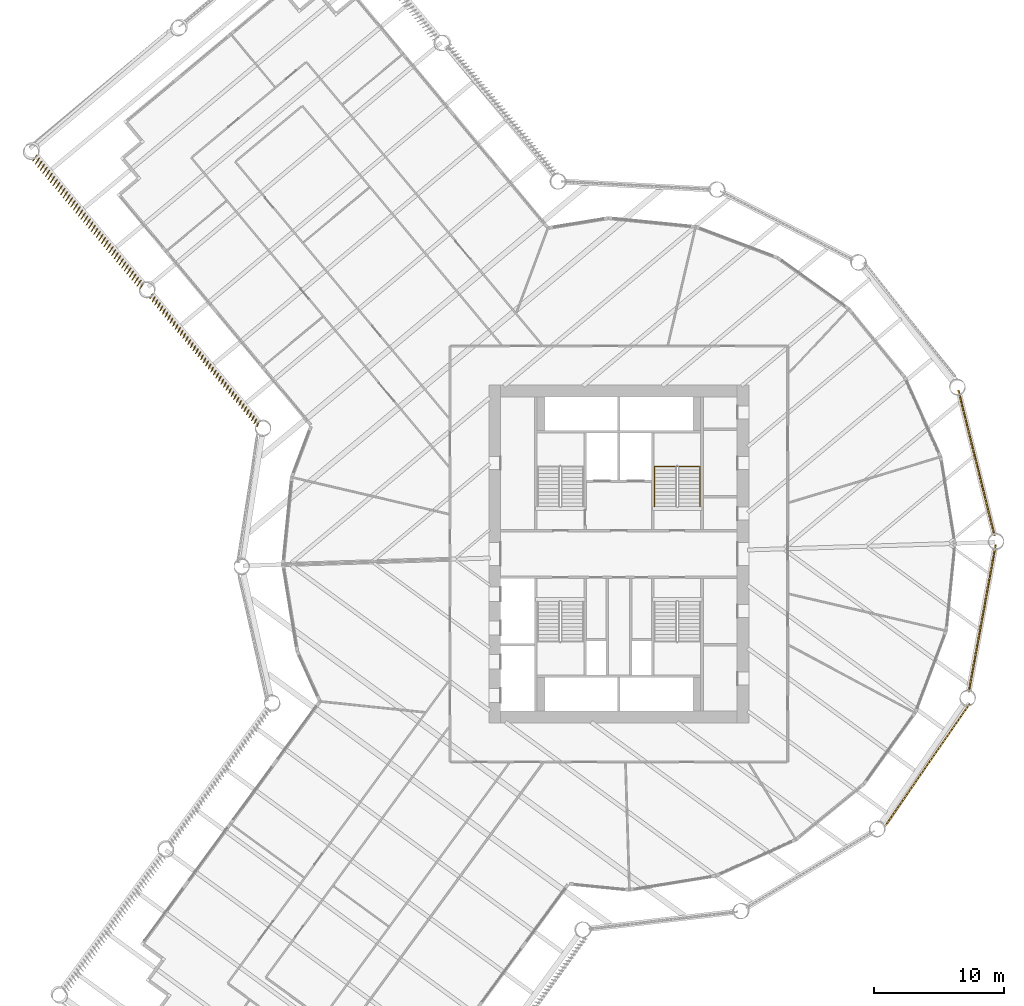
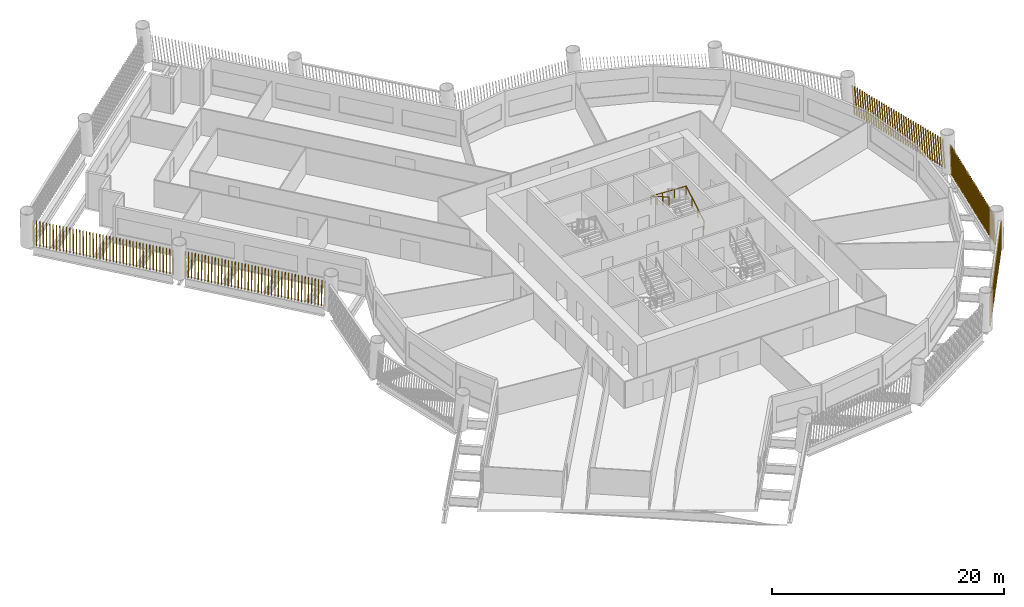
# One storey, part 13 of 15: 5 shading devices, 1 railing.
"""IFC4 building model written with IfcOpenShell, lengths in metres."""

from ifc_helpers import new_model, si_unit, direction, frame, frame_2d, origin, origin_2d, place, context, subcontext, project, spatial, rectangle, circle, composite_profile, extrude, material, type_object, element, save


model = new_model("IFC4")

# Units and contexts
model_context = context("Model", 3, precision=1e-05, world=origin(), true_north=direction((0.0, 1.0)))
body_context = subcontext(model_context, "Body", "Model", "MODEL_VIEW")
ifc_project = project(units=[si_unit("LENGTHUNIT", "METRE"), si_unit("AREAUNIT", "SQUARE_METRE"), si_unit("VOLUMEUNIT", "CUBIC_METRE"), si_unit("PLANEANGLEUNIT", "RADIAN"), si_unit("MASSUNIT", "GRAM", prefix="KILO")], contexts=[model_context])

# Site, building, storey
site_placement = place(None, origin())
site = spatial("IfcSite", under=ifc_project, at=site_placement, CompositionType="ELEMENT")
building_placement = place(site_placement, origin())
building = spatial("IfcBuilding", under=site, at=building_placement, Name="Tarsis Ring Headquarters", CompositionType="ELEMENT")
storey_placement = place(building_placement, frame((0.0, 0.0, 43.89990234375)))
storey = spatial("IfcBuildingStorey", under=building, at=storey_placement, Name="L08", CompositionType="ELEMENT", Elevation=43.89990234375)

# Railing
ifc_material_1 = material(Name="Steel S355", Category="steel")
railing_type = type_object("IfcRailingType", Name="Core stair handrail 900", PredefinedType="HANDRAIL", material=ifc_material_1)
railing_placement = place(storey_placement, frame((6.25, 3.659912109375, 0.16259765625)))
element("IfcRailing", 1, at=railing_placement, inside=storey, type_object=railing_type, Name="L08 ST2 stair handrail 1", PredefinedType="HANDRAIL", context=body_context, shape_type="SweptSolid", body=[
    extrude(circle(Radius=0.02392578125, at=origin_2d()), frame((0.0, 0.0, 0.8759765625), z_axis=(0.0, 0.864890721111, 0.501960198159), x_axis=(-1.0, 0.0, 0.0)), (0.0, 0.0, 1.0), 3.561279296875),
    extrude(circle(Radius=0.02392578125, at=origin_2d()), frame((0.0, 3.080078125, 2.66357421875), z_axis=(-0.998925869279, 0.0, 0.04633689335), x_axis=(0.0, -1.0, 0.0)), (0.0, 0.0, 1.0), 3.503662109375),
    extrude(circle(Radius=0.02392578125, at=origin_2d()), frame((-3.5, 3.080078125, 2.82568359375), z_axis=(0.0, -0.864890721111, 0.501960198159), x_axis=(1.0, 0.0, 0.0)), (0.0, 0.0, 1.0), 3.561279296875),
    extrude(circle(Radius=0.02099609375, at=origin_2d()), origin(), (0.0, 0.0, 1.0), 0.851806640625),
    extrude(circle(Radius=0.02099609375, at=origin_2d()), frame((0.0, 1.026611328125, 0.595947265625)), (0.0, 0.0, 1.0), 0.851806640625),
    extrude(circle(Radius=0.02099609375, at=origin_2d()), frame((0.0, 2.053466796875, 1.191650390625)), (0.0, 0.0, 1.0), 0.851806640625),
    extrude(circle(Radius=0.02099609375, at=origin_2d()), frame((0.0, 3.080078125, 1.78759765625)), (0.0, 0.0, 1.0), 0.851806640625),
    extrude(circle(Radius=0.02099609375, at=origin_2d()), frame((-1.166748046875, 3.080078125, 1.841796875)), (0.0, 0.0, 1.0), 0.851806640625),
    extrude(circle(Radius=0.02099609375, at=origin_2d()), frame((-2.333251953125, 3.080078125, 1.895751953125)), (0.0, 0.0, 1.0), 0.851806640625),
    extrude(circle(Radius=0.02099609375, at=origin_2d()), frame((-3.5, 3.080078125, 1.949951171875)), (0.0, 0.0, 1.0), 0.851806640625),
    extrude(circle(Radius=0.02099609375, at=origin_2d()), frame((-3.5, 2.053466796875, 2.5458984375)), (0.0, 0.0, 1.0), 0.851806640625),
    extrude(circle(Radius=0.02099609375, at=origin_2d()), frame((-3.5, 1.026611328125, 3.1416015625)), (0.0, 0.0, 1.0), 0.851806640625),
    extrude(circle(Radius=0.02099609375, at=origin_2d()), frame((-3.5, 0.0, 3.737548828125)), (0.0, 0.0, 1.0), 0.851806640625),
])

# Shading devices
ifc_material_2 = material(Name="Terracotta baguette", Category="masonry")
shading_device_type = type_object("IfcShadingDeviceType", Name="Terracotta baguette screen", PredefinedType="USERDEFINED", material=ifc_material_2)
shading_device_1_placement = place(storey_placement, frame((20.446533203125, -21.007568359375, 0.0), z_axis=(0.0, 0.0, 1.0), x_axis=(0.569472176404, 0.822011459328, 0.0)))
element("IfcShadingDevice", 2, at=shading_device_1_placement, inside=storey, type_object=shading_device_type, Name="Baguette screen L08-09", ObjectType="Terracotta baguette screen", PredefinedType="USERDEFINED", context=body_context, shape_type="SweptSolid", body=[
    extrude(composite_profile([rectangle(XDim=0.06005859375, YDim=0.1201171875, at=frame_2d((0.030029296875, 0.0))), rectangle(XDim=0.06005859375, YDim=0.1201171875, at=frame_2d((0.33251953125, 0.0))), rectangle(XDim=0.06005859375, YDim=0.1201171875, at=frame_2d((0.634765625, 0.0))), rectangle(XDim=0.06005859375, YDim=0.1201171875, at=frame_2d((0.937255859375, 0.0))), rectangle(XDim=0.06005859375, YDim=0.1201171875, at=frame_2d((1.239501953125, 0.0))), rectangle(XDim=0.06005859375, YDim=0.1201171875, at=frame_2d((1.5419921875, 0.0))), rectangle(XDim=0.06005859375, YDim=0.1201171875, at=frame_2d((1.844482421875, 0.0))), rectangle(XDim=0.06005859375, YDim=0.1201171875, at=frame_2d((2.146728515625, 0.0))), rectangle(XDim=0.06005859375, YDim=0.1201171875, at=frame_2d((2.44921875, 0.0))), rectangle(XDim=0.06005859375, YDim=0.1201171875, at=frame_2d((2.751708984375, 0.0))), rectangle(XDim=0.06005859375, YDim=0.1201171875, at=frame_2d((3.053955078125, 0.0))), rectangle(XDim=0.06005859375, YDim=0.1201171875, at=frame_2d((3.3564453125, 0.0))), rectangle(XDim=0.06005859375, YDim=0.1201171875, at=frame_2d((3.65869140625, 0.0))), rectangle(XDim=0.06005859375, YDim=0.1201171875, at=frame_2d((3.961181640625, 0.0))), rectangle(XDim=0.06005859375, YDim=0.1201171875, at=frame_2d((4.263671875, 0.0))), rectangle(XDim=0.06005859375, YDim=0.1201171875, at=frame_2d((4.56591796875, 0.0))), rectangle(XDim=0.06005859375, YDim=0.1201171875, at=frame_2d((4.868408203125, 0.0))), rectangle(XDim=0.06005859375, YDim=0.1201171875, at=frame_2d((5.1708984375, 0.0))), rectangle(XDim=0.06005859375, YDim=0.1201171875, at=frame_2d((5.47314453125, 0.0))), rectangle(XDim=0.06005859375, YDim=0.1201171875, at=frame_2d((5.775634765625, 0.0))), rectangle(XDim=0.06005859375, YDim=0.1201171875, at=frame_2d((6.077880859375, 0.0))), rectangle(XDim=0.06005859375, YDim=0.1201171875, at=frame_2d((6.38037109375, 0.0))), rectangle(XDim=0.06005859375, YDim=0.1201171875, at=frame_2d((6.682861328125, 0.0))), rectangle(XDim=0.06005859375, YDim=0.1201171875, at=frame_2d((6.985107421875, 0.0))), rectangle(XDim=0.06005859375, YDim=0.1201171875, at=frame_2d((7.28759765625, 0.0))), rectangle(XDim=0.06005859375, YDim=0.1201171875, at=frame_2d((7.590087890625, 0.0))), rectangle(XDim=0.06005859375, YDim=0.1201171875, at=frame_2d((7.892333984375, 0.0))), rectangle(XDim=0.06005859375, YDim=0.1201171875, at=frame_2d((8.19482421875, 0.0))), rectangle(XDim=0.06005859375, YDim=0.1201171875, at=frame_2d((8.4970703125, 0.0))), rectangle(XDim=0.06005859375, YDim=0.1201171875, at=frame_2d((8.799560546875, 0.0))), rectangle(XDim=0.06005859375, YDim=0.1201171875, at=frame_2d((9.10205078125, 0.0))), rectangle(XDim=0.06005859375, YDim=0.1201171875, at=frame_2d((9.404296875, 0.0))), rectangle(XDim=0.06005859375, YDim=0.1201171875, at=frame_2d((9.706787109375, 0.0))), rectangle(XDim=0.06005859375, YDim=0.1201171875, at=frame_2d((10.00927734375, 0.0))), rectangle(XDim=0.06005859375, YDim=0.1201171875, at=frame_2d((10.3115234375, 0.0))), rectangle(XDim=0.06005859375, YDim=0.1201171875, at=frame_2d((10.614013671875, 0.0))), rectangle(XDim=0.06005859375, YDim=0.1201171875, at=frame_2d((10.916259765625, 0.0))), rectangle(XDim=0.06005859375, YDim=0.1201171875, at=frame_2d((11.21875, 0.0)))]), origin(), (0.10150987711, 0.000530901831, 0.994834389731), 2.968017578125),
])
shading_device_2_placement = place(storey_placement, frame((26.919189453125, -10.64453125, 0.0), z_axis=(0.0, 0.0, 1.0), x_axis=(0.180006945047, 0.983657435541, 0.0)))
element("IfcShadingDevice", 3, at=shading_device_2_placement, inside=storey, type_object=shading_device_type, Name="Baguette screen L08-10", ObjectType="Terracotta baguette screen", PredefinedType="USERDEFINED", context=body_context, shape_type="SweptSolid", body=[
    extrude(composite_profile([rectangle(XDim=0.06005859375, YDim=0.1201171875, at=frame_2d((0.030029296875, 0.0))), rectangle(XDim=0.06005859375, YDim=0.1201171875, at=frame_2d((0.33251953125, 0.0))), rectangle(XDim=0.06005859375, YDim=0.1201171875, at=frame_2d((0.634765625, 0.0))), rectangle(XDim=0.06005859375, YDim=0.1201171875, at=frame_2d((0.937255859375, 0.0))), rectangle(XDim=0.06005859375, YDim=0.1201171875, at=frame_2d((1.239501953125, 0.0))), rectangle(XDim=0.06005859375, YDim=0.1201171875, at=frame_2d((1.5419921875, 0.0))), rectangle(XDim=0.06005859375, YDim=0.1201171875, at=frame_2d((1.844482421875, 0.0))), rectangle(XDim=0.06005859375, YDim=0.1201171875, at=frame_2d((2.146728515625, 0.0))), rectangle(XDim=0.06005859375, YDim=0.1201171875, at=frame_2d((2.44921875, 0.0))), rectangle(XDim=0.06005859375, YDim=0.1201171875, at=frame_2d((2.751708984375, 0.0))), rectangle(XDim=0.06005859375, YDim=0.1201171875, at=frame_2d((3.053955078125, 0.0))), rectangle(XDim=0.06005859375, YDim=0.1201171875, at=frame_2d((3.3564453125, 0.0))), rectangle(XDim=0.06005859375, YDim=0.1201171875, at=frame_2d((3.65869140625, 0.0))), rectangle(XDim=0.06005859375, YDim=0.1201171875, at=frame_2d((3.961181640625, 0.0))), rectangle(XDim=0.06005859375, YDim=0.1201171875, at=frame_2d((4.263671875, 0.0))), rectangle(XDim=0.06005859375, YDim=0.1201171875, at=frame_2d((4.56591796875, 0.0))), rectangle(XDim=0.06005859375, YDim=0.1201171875, at=frame_2d((4.868408203125, 0.0))), rectangle(XDim=0.06005859375, YDim=0.1201171875, at=frame_2d((5.1708984375, 0.0))), rectangle(XDim=0.06005859375, YDim=0.1201171875, at=frame_2d((5.47314453125, 0.0))), rectangle(XDim=0.06005859375, YDim=0.1201171875, at=frame_2d((5.775634765625, 0.0))), rectangle(XDim=0.06005859375, YDim=0.1201171875, at=frame_2d((6.077880859375, 0.0))), rectangle(XDim=0.06005859375, YDim=0.1201171875, at=frame_2d((6.38037109375, 0.0))), rectangle(XDim=0.06005859375, YDim=0.1201171875, at=frame_2d((6.682861328125, 0.0))), rectangle(XDim=0.06005859375, YDim=0.1201171875, at=frame_2d((6.985107421875, 0.0))), rectangle(XDim=0.06005859375, YDim=0.1201171875, at=frame_2d((7.28759765625, 0.0))), rectangle(XDim=0.06005859375, YDim=0.1201171875, at=frame_2d((7.590087890625, 0.0))), rectangle(XDim=0.06005859375, YDim=0.1201171875, at=frame_2d((7.892333984375, 0.0))), rectangle(XDim=0.06005859375, YDim=0.1201171875, at=frame_2d((8.19482421875, 0.0))), rectangle(XDim=0.06005859375, YDim=0.1201171875, at=frame_2d((8.4970703125, 0.0))), rectangle(XDim=0.06005859375, YDim=0.1201171875, at=frame_2d((8.799560546875, 0.0))), rectangle(XDim=0.06005859375, YDim=0.1201171875, at=frame_2d((9.10205078125, 0.0))), rectangle(XDim=0.06005859375, YDim=0.1201171875, at=frame_2d((9.404296875, 0.0))), rectangle(XDim=0.06005859375, YDim=0.1201171875, at=frame_2d((9.706787109375, 0.0))), rectangle(XDim=0.06005859375, YDim=0.1201171875, at=frame_2d((10.00927734375, 0.0))), rectangle(XDim=0.06005859375, YDim=0.1201171875, at=frame_2d((10.3115234375, 0.0))), rectangle(XDim=0.06005859375, YDim=0.1201171875, at=frame_2d((10.614013671875, 0.0))), rectangle(XDim=0.06005859375, YDim=0.1201171875, at=frame_2d((10.916259765625, 0.0))), rectangle(XDim=0.06005859375, YDim=0.1201171875, at=frame_2d((11.21875, 0.0)))]), origin(), (0.100199596658, 0.000523037154, 0.99496721919), 2.967529296875),
])
shading_device_3_placement = place(storey_placement, frame((28.91357421875, 1.397705078125, 0.0), z_axis=(0.0, 0.0, 1.0), x_axis=(-0.241454150841, 0.97041779707, 0.0)))
element("IfcShadingDevice", 4, at=shading_device_3_placement, inside=storey, type_object=shading_device_type, Name="Baguette screen L08-11", ObjectType="Terracotta baguette screen", PredefinedType="USERDEFINED", context=body_context, shape_type="SweptSolid", body=[
    extrude(composite_profile([rectangle(XDim=0.06005859375, YDim=0.1201171875, at=frame_2d((0.030029296875, 0.0))), rectangle(XDim=0.06005859375, YDim=0.1201171875, at=frame_2d((0.33251953125, 0.0))), rectangle(XDim=0.06005859375, YDim=0.1201171875, at=frame_2d((0.634765625, 0.0))), rectangle(XDim=0.06005859375, YDim=0.1201171875, at=frame_2d((0.937255859375, 0.0))), rectangle(XDim=0.06005859375, YDim=0.1201171875, at=frame_2d((1.239501953125, 0.0))), rectangle(XDim=0.06005859375, YDim=0.1201171875, at=frame_2d((1.5419921875, 0.0))), rectangle(XDim=0.06005859375, YDim=0.1201171875, at=frame_2d((1.844482421875, 0.0))), rectangle(XDim=0.06005859375, YDim=0.1201171875, at=frame_2d((2.146728515625, 0.0))), rectangle(XDim=0.06005859375, YDim=0.1201171875, at=frame_2d((2.44921875, 0.0))), rectangle(XDim=0.06005859375, YDim=0.1201171875, at=frame_2d((2.751708984375, 0.0))), rectangle(XDim=0.06005859375, YDim=0.1201171875, at=frame_2d((3.053955078125, 0.0))), rectangle(XDim=0.06005859375, YDim=0.1201171875, at=frame_2d((3.3564453125, 0.0))), rectangle(XDim=0.06005859375, YDim=0.1201171875, at=frame_2d((3.65869140625, 0.0))), rectangle(XDim=0.06005859375, YDim=0.1201171875, at=frame_2d((3.961181640625, 0.0))), rectangle(XDim=0.06005859375, YDim=0.1201171875, at=frame_2d((4.263671875, 0.0))), rectangle(XDim=0.06005859375, YDim=0.1201171875, at=frame_2d((4.56591796875, 0.0))), rectangle(XDim=0.06005859375, YDim=0.1201171875, at=frame_2d((4.868408203125, 0.0))), rectangle(XDim=0.06005859375, YDim=0.1201171875, at=frame_2d((5.1708984375, 0.0))), rectangle(XDim=0.06005859375, YDim=0.1201171875, at=frame_2d((5.47314453125, 0.0))), rectangle(XDim=0.06005859375, YDim=0.1201171875, at=frame_2d((5.775634765625, 0.0))), rectangle(XDim=0.06005859375, YDim=0.1201171875, at=frame_2d((6.077880859375, 0.0))), rectangle(XDim=0.06005859375, YDim=0.1201171875, at=frame_2d((6.38037109375, 0.0))), rectangle(XDim=0.06005859375, YDim=0.1201171875, at=frame_2d((6.682861328125, 0.0))), rectangle(XDim=0.06005859375, YDim=0.1201171875, at=frame_2d((6.985107421875, 0.0))), rectangle(XDim=0.06005859375, YDim=0.1201171875, at=frame_2d((7.28759765625, 0.0))), rectangle(XDim=0.06005859375, YDim=0.1201171875, at=frame_2d((7.590087890625, 0.0))), rectangle(XDim=0.06005859375, YDim=0.1201171875, at=frame_2d((7.892333984375, 0.0))), rectangle(XDim=0.06005859375, YDim=0.1201171875, at=frame_2d((8.19482421875, 0.0))), rectangle(XDim=0.06005859375, YDim=0.1201171875, at=frame_2d((8.4970703125, 0.0))), rectangle(XDim=0.06005859375, YDim=0.1201171875, at=frame_2d((8.799560546875, 0.0))), rectangle(XDim=0.06005859375, YDim=0.1201171875, at=frame_2d((9.10205078125, 0.0))), rectangle(XDim=0.06005859375, YDim=0.1201171875, at=frame_2d((9.404296875, 0.0))), rectangle(XDim=0.06005859375, YDim=0.1201171875, at=frame_2d((9.706787109375, 0.0))), rectangle(XDim=0.06005859375, YDim=0.1201171875, at=frame_2d((10.00927734375, 0.0))), rectangle(XDim=0.06005859375, YDim=0.1201171875, at=frame_2d((10.3115234375, 0.0))), rectangle(XDim=0.06005859375, YDim=0.1201171875, at=frame_2d((10.614013671875, 0.0))), rectangle(XDim=0.06005859375, YDim=0.1201171875, at=frame_2d((10.916259765625, 0.0))), rectangle(XDim=0.06005859375, YDim=0.1201171875, at=frame_2d((11.21875, 0.0)))]), origin(), (0.100201121109, 0.000522753283, 0.994967065816), 2.967529296875),
])
shading_device_4_placement = place(storey_placement, frame((-44.848388671875, 30.70751953125, 0.0), z_axis=(0.0, 0.0, 1.0), x_axis=(0.640112021496, -0.768293375215, 0.0)))
element("IfcShadingDevice", 5, at=shading_device_4_placement, inside=storey, type_object=shading_device_type, Name="Baguette screen L08-19", ObjectType="Terracotta baguette screen", PredefinedType="USERDEFINED", context=body_context, shape_type="SweptSolid", body=[
    extrude(composite_profile([rectangle(XDim=0.06005859375, YDim=0.1201171875, at=frame_2d((0.030029296875, 0.0))), rectangle(XDim=0.06005859375, YDim=0.1201171875, at=frame_2d((0.335693359375, 0.0))), rectangle(XDim=0.06005859375, YDim=0.1201171875, at=frame_2d((0.6416015625, 0.0))), rectangle(XDim=0.06005859375, YDim=0.1201171875, at=frame_2d((0.947265625, 0.0))), rectangle(XDim=0.06005859375, YDim=0.1201171875, at=frame_2d((1.253173828125, 0.0))), rectangle(XDim=0.06005859375, YDim=0.1201171875, at=frame_2d((1.558837890625, 0.0))), rectangle(XDim=0.06005859375, YDim=0.1201171875, at=frame_2d((1.864501953125, 0.0))), rectangle(XDim=0.06005859375, YDim=0.1201171875, at=frame_2d((2.17041015625, 0.0))), rectangle(XDim=0.06005859375, YDim=0.1201171875, at=frame_2d((2.47607421875, 0.0))), rectangle(XDim=0.06005859375, YDim=0.1201171875, at=frame_2d((2.781982421875, 0.0))), rectangle(XDim=0.06005859375, YDim=0.1201171875, at=frame_2d((3.087646484375, 0.0))), rectangle(XDim=0.06005859375, YDim=0.1201171875, at=frame_2d((3.393310546875, 0.0))), rectangle(XDim=0.06005859375, YDim=0.1201171875, at=frame_2d((3.69921875, 0.0))), rectangle(XDim=0.06005859375, YDim=0.1201171875, at=frame_2d((4.0048828125, 0.0))), rectangle(XDim=0.06005859375, YDim=0.1201171875, at=frame_2d((4.310791015625, 0.0))), rectangle(XDim=0.06005859375, YDim=0.1201171875, at=frame_2d((4.616455078125, 0.0))), rectangle(XDim=0.06005859375, YDim=0.1201171875, at=frame_2d((4.922119140625, 0.0))), rectangle(XDim=0.06005859375, YDim=0.1201171875, at=frame_2d((5.22802734375, 0.0))), rectangle(XDim=0.06005859375, YDim=0.1201171875, at=frame_2d((5.53369140625, 0.0))), rectangle(XDim=0.06005859375, YDim=0.1201171875, at=frame_2d((5.839599609375, 0.0))), rectangle(XDim=0.06005859375, YDim=0.1201171875, at=frame_2d((6.145263671875, 0.0))), rectangle(XDim=0.06005859375, YDim=0.1201171875, at=frame_2d((6.451171875, 0.0))), rectangle(XDim=0.06005859375, YDim=0.1201171875, at=frame_2d((6.7568359375, 0.0))), rectangle(XDim=0.06005859375, YDim=0.1201171875, at=frame_2d((7.0625, 0.0))), rectangle(XDim=0.06005859375, YDim=0.1201171875, at=frame_2d((7.368408203125, 0.0))), rectangle(XDim=0.06005859375, YDim=0.1201171875, at=frame_2d((7.674072265625, 0.0))), rectangle(XDim=0.06005859375, YDim=0.1201171875, at=frame_2d((7.97998046875, 0.0))), rectangle(XDim=0.06005859375, YDim=0.1201171875, at=frame_2d((8.28564453125, 0.0))), rectangle(XDim=0.06005859375, YDim=0.1201171875, at=frame_2d((8.59130859375, 0.0))), rectangle(XDim=0.06005859375, YDim=0.1201171875, at=frame_2d((8.897216796875, 0.0))), rectangle(XDim=0.06005859375, YDim=0.1201171875, at=frame_2d((9.202880859375, 0.0))), rectangle(XDim=0.06005859375, YDim=0.1201171875, at=frame_2d((9.5087890625, 0.0))), rectangle(XDim=0.06005859375, YDim=0.1201171875, at=frame_2d((9.814453125, 0.0))), rectangle(XDim=0.06005859375, YDim=0.1201171875, at=frame_2d((10.1201171875, 0.0))), rectangle(XDim=0.06005859375, YDim=0.1201171875, at=frame_2d((10.426025390625, 0.0))), rectangle(XDim=0.06005859375, YDim=0.1201171875, at=frame_2d((10.731689453125, 0.0))), rectangle(XDim=0.06005859375, YDim=0.1201171875, at=frame_2d((11.03759765625, 0.0))), rectangle(XDim=0.06005859375, YDim=0.1201171875, at=frame_2d((11.34326171875, 0.0))), rectangle(XDim=0.06005859375, YDim=0.1201171875, at=frame_2d((11.64892578125, 0.0))), rectangle(XDim=0.06005859375, YDim=0.1201171875, at=frame_2d((11.954833984375, 0.0))), rectangle(XDim=0.06005859375, YDim=0.1201171875, at=frame_2d((12.260498046875, 0.0))), rectangle(XDim=0.06005859375, YDim=0.1201171875, at=frame_2d((12.56640625, 0.0))), rectangle(XDim=0.06005859375, YDim=0.1201171875, at=frame_2d((12.8720703125, 0.0)))]), origin(), (0.05258005913, -0.160014440311, 0.985713303285), 2.995361328125),
])
shading_device_5_placement = place(storey_placement, frame((-35.949462890625, 20.02685546875, 0.0), z_axis=(0.0, 0.0, 1.0), x_axis=(0.640118831365, -0.768278837421, 0.0)))
element("IfcShadingDevice", 6, at=shading_device_5_placement, inside=storey, type_object=shading_device_type, Name="Baguette screen L08-20", ObjectType="Terracotta baguette screen", PredefinedType="USERDEFINED", context=body_context, shape_type="SweptSolid", body=[
    extrude(composite_profile([rectangle(XDim=0.06005859375, YDim=0.1201171875, at=frame_2d((0.030029296875, 0.0))), rectangle(XDim=0.06005859375, YDim=0.1201171875, at=frame_2d((0.335693359375, 0.0))), rectangle(XDim=0.06005859375, YDim=0.1201171875, at=frame_2d((0.6416015625, 0.0))), rectangle(XDim=0.06005859375, YDim=0.1201171875, at=frame_2d((0.947265625, 0.0))), rectangle(XDim=0.06005859375, YDim=0.1201171875, at=frame_2d((1.253173828125, 0.0))), rectangle(XDim=0.06005859375, YDim=0.1201171875, at=frame_2d((1.558837890625, 0.0))), rectangle(XDim=0.06005859375, YDim=0.1201171875, at=frame_2d((1.864501953125, 0.0))), rectangle(XDim=0.06005859375, YDim=0.1201171875, at=frame_2d((2.17041015625, 0.0))), rectangle(XDim=0.06005859375, YDim=0.1201171875, at=frame_2d((2.47607421875, 0.0))), rectangle(XDim=0.06005859375, YDim=0.1201171875, at=frame_2d((2.781982421875, 0.0))), rectangle(XDim=0.06005859375, YDim=0.1201171875, at=frame_2d((3.087646484375, 0.0))), rectangle(XDim=0.06005859375, YDim=0.1201171875, at=frame_2d((3.393310546875, 0.0))), rectangle(XDim=0.06005859375, YDim=0.1201171875, at=frame_2d((3.69921875, 0.0))), rectangle(XDim=0.06005859375, YDim=0.1201171875, at=frame_2d((4.0048828125, 0.0))), rectangle(XDim=0.06005859375, YDim=0.1201171875, at=frame_2d((4.310791015625, 0.0))), rectangle(XDim=0.06005859375, YDim=0.1201171875, at=frame_2d((4.616455078125, 0.0))), rectangle(XDim=0.06005859375, YDim=0.1201171875, at=frame_2d((4.922119140625, 0.0))), rectangle(XDim=0.06005859375, YDim=0.1201171875, at=frame_2d((5.22802734375, 0.0))), rectangle(XDim=0.06005859375, YDim=0.1201171875, at=frame_2d((5.53369140625, 0.0))), rectangle(XDim=0.06005859375, YDim=0.1201171875, at=frame_2d((5.839599609375, 0.0))), rectangle(XDim=0.06005859375, YDim=0.1201171875, at=frame_2d((6.145263671875, 0.0))), rectangle(XDim=0.06005859375, YDim=0.1201171875, at=frame_2d((6.451171875, 0.0))), rectangle(XDim=0.06005859375, YDim=0.1201171875, at=frame_2d((6.7568359375, 0.0))), rectangle(XDim=0.06005859375, YDim=0.1201171875, at=frame_2d((7.0625, 0.0))), rectangle(XDim=0.06005859375, YDim=0.1201171875, at=frame_2d((7.368408203125, 0.0))), rectangle(XDim=0.06005859375, YDim=0.1201171875, at=frame_2d((7.674072265625, 0.0))), rectangle(XDim=0.06005859375, YDim=0.1201171875, at=frame_2d((7.97998046875, 0.0))), rectangle(XDim=0.06005859375, YDim=0.1201171875, at=frame_2d((8.28564453125, 0.0))), rectangle(XDim=0.06005859375, YDim=0.1201171875, at=frame_2d((8.59130859375, 0.0))), rectangle(XDim=0.06005859375, YDim=0.1201171875, at=frame_2d((8.897216796875, 0.0))), rectangle(XDim=0.06005859375, YDim=0.1201171875, at=frame_2d((9.202880859375, 0.0))), rectangle(XDim=0.06005859375, YDim=0.1201171875, at=frame_2d((9.5087890625, 0.0))), rectangle(XDim=0.06005859375, YDim=0.1201171875, at=frame_2d((9.814453125, 0.0))), rectangle(XDim=0.06005859375, YDim=0.1201171875, at=frame_2d((10.1201171875, 0.0))), rectangle(XDim=0.06005859375, YDim=0.1201171875, at=frame_2d((10.426025390625, 0.0))), rectangle(XDim=0.06005859375, YDim=0.1201171875, at=frame_2d((10.731689453125, 0.0))), rectangle(XDim=0.06005859375, YDim=0.1201171875, at=frame_2d((11.03759765625, 0.0))), rectangle(XDim=0.06005859375, YDim=0.1201171875, at=frame_2d((11.34326171875, 0.0))), rectangle(XDim=0.06005859375, YDim=0.1201171875, at=frame_2d((11.64892578125, 0.0))), rectangle(XDim=0.06005859375, YDim=0.1201171875, at=frame_2d((11.954833984375, 0.0))), rectangle(XDim=0.06005859375, YDim=0.1201171875, at=frame_2d((12.260498046875, 0.0))), rectangle(XDim=0.06005859375, YDim=0.1201171875, at=frame_2d((12.56640625, 0.0))), rectangle(XDim=0.06005859375, YDim=0.1201171875, at=frame_2d((12.8720703125, 0.0)))]), origin(), (0.052672630389, -0.112156509416, 0.992293561102), 2.9755859375),
])

save(model, "model.ifc")
